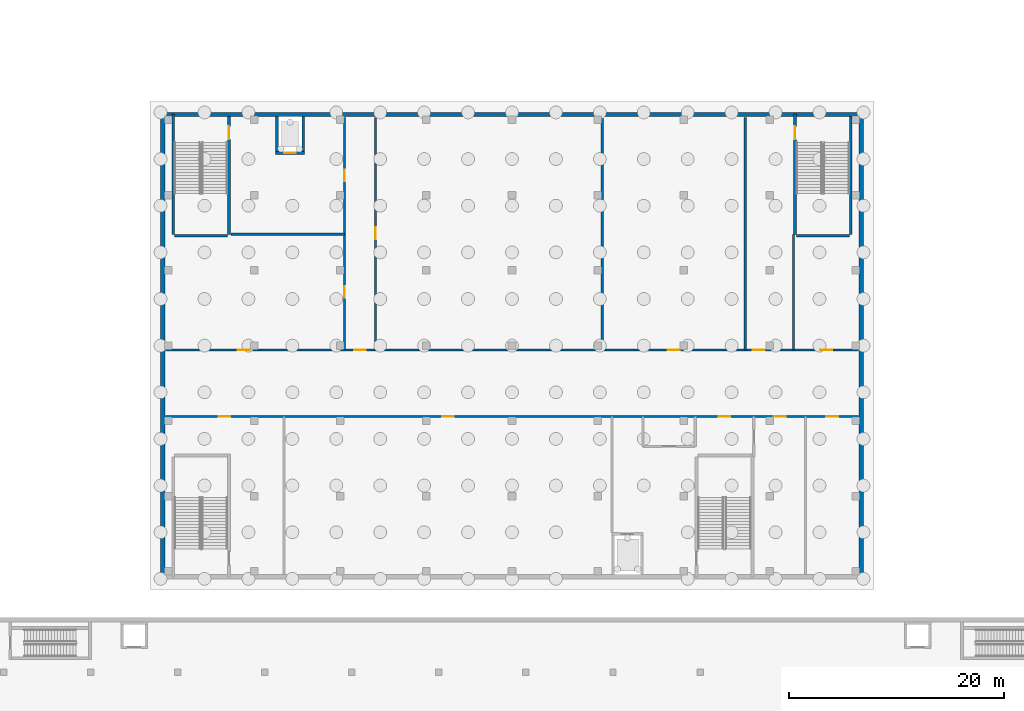
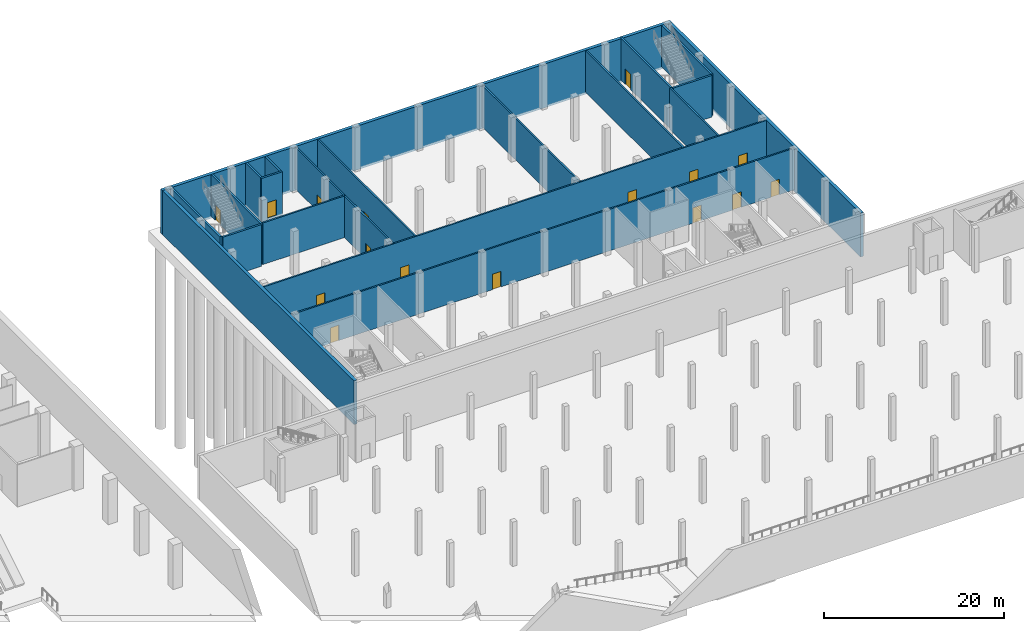
# One storey, part 18 of 45: 20 walls, 16 doors, 16 openings.
"""IFC4 building model written with IfcOpenShell, lengths in metres."""

from ifc_helpers import new_model, si_unit, direction, frame, frame_2d, origin, place, context, subcontext, project, spatial, rectangle, extrude, material, layer, layer_set, type_object, element, fill, save


model = new_model("IFC4")

# Units and contexts
model_context = context("Model", 3, precision=1e-05, world=origin(), true_north=direction((0.0, 1.0)))
body_context = subcontext(model_context, "Body", "Model", "MODEL_VIEW")
ifc_project = project(units=[si_unit("LENGTHUNIT", "METRE"), si_unit("AREAUNIT", "SQUARE_METRE"), si_unit("VOLUMEUNIT", "CUBIC_METRE"), si_unit("PLANEANGLEUNIT", "RADIAN"), si_unit("MASSUNIT", "GRAM", prefix="KILO")], contexts=[model_context])

# Site, building, storey
site_placement = place(None, origin())
site = spatial("IfcSite", under=ifc_project, at=site_placement, CompositionType="ELEMENT")
building_placement = place(site_placement, origin())
building = spatial("IfcBuilding", under=site, at=building_placement, Name="Tamorin Gate", CompositionType="ELEMENT")
storey_placement = place(building_placement, frame((0.0, 0.0, -6.0)))
storey = spatial("IfcBuildingStorey", under=building, at=storey_placement, Name="B1", CompositionType="ELEMENT", Elevation=-6.0)

# Wall, openings, doors
ifc_material_1 = material(Name="Dense blockwork, plastered", Category="masonry")
ifc_layer_1 = layer(ifc_material_1, 0.199951171875)
ifc_layer_set_1 = layer_set([ifc_layer_1], Name="Blockwork partition 200")
wall_type_1 = type_object("IfcWallType", Name="Blockwork partition 200", PredefinedType="PARTITIONING", material=ifc_layer_set_1)
wall_1_placement = place(storey_placement, frame((145.449951171875, 70.10009765625, 0.0), z_axis=(0.0, 0.0, 1.0), x_axis=(1.0, 0.0, 0.0)))
wall_1 = element("IfcWall", 1, at=wall_1_placement, inside=storey, type_object=wall_type_1, Name="Partition", PredefinedType="PARTITIONING", context=body_context, shape_type="SweptSolid", body=[
    extrude(rectangle(XDim=64.5, YDim=0.199951171875, at=frame_2d((32.25, 0.0))), origin(), (0.0, 0.0, 1.0), 5.64990234375),
])
opening_1_placement = place(wall_1_placement, frame((4.949951171875, 0.0, 0.0)))
opening_1 = element("IfcOpeningElement", 2, at=opening_1_placement, cuts=wall_1, Name="Opening DM37", PredefinedType="OPENING", context=body_context, shape_type="SweptSolid", body=[
    extrude(rectangle(XDim=1.10009765625, YDim=2.10009765625, at=frame_2d((0.550048828125, 1.050048828125))), frame((0.0, 0.10986328125, 0.0), z_axis=(0.0, -1.0, 0.0), x_axis=(1.0, 0.0, 0.0)), (0.0, 0.0, 1.0), 0.219970703125),
])
opening_2_placement = place(wall_1_placement, frame((25.75, 0.0, 0.0)))
opening_2 = element("IfcOpeningElement", 3, at=opening_2_placement, cuts=wall_1, Name="Opening DM38", PredefinedType="OPENING", context=body_context, shape_type="SweptSolid", body=[
    extrude(rectangle(XDim=1.10009765625, YDim=2.10009765625, at=frame_2d((0.550048828125, 1.050048828125))), frame((0.0, 0.10986328125, 0.0), z_axis=(0.0, -1.0, 0.0), x_axis=(1.0, 0.0, 0.0)), (0.0, 0.0, 1.0), 0.219970703125),
])
opening_3_placement = place(wall_1_placement, frame((51.47509765625, 0.0, 0.0)))
opening_3 = element("IfcOpeningElement", 4, at=opening_3_placement, cuts=wall_1, Name="Opening DM40", PredefinedType="OPENING", context=body_context, shape_type="SweptSolid", body=[
    extrude(rectangle(XDim=1.10009765625, YDim=2.10009765625, at=frame_2d((0.550048828125, 1.050048828125))), frame((0.0, 0.10986328125, 0.0), z_axis=(0.0, -1.0, 0.0), x_axis=(1.0, 0.0, 0.0)), (0.0, 0.0, 1.0), 0.219970703125),
])
opening_4_placement = place(wall_1_placement, frame((56.60009765625, 0.0, 0.0)))
opening_4 = element("IfcOpeningElement", 5, at=opening_4_placement, cuts=wall_1, Name="Opening DM42", PredefinedType="OPENING", context=body_context, shape_type="SweptSolid", body=[
    extrude(rectangle(XDim=1.10009765625, YDim=2.10009765625, at=frame_2d((0.550048828125, 1.050048828125))), frame((0.0, 0.10986328125, 0.0), z_axis=(0.0, -1.0, 0.0), x_axis=(1.0, 0.0, 0.0)), (0.0, 0.0, 1.0), 0.219970703125),
])
opening_5_placement = place(wall_1_placement, frame((61.5, 0.0, 0.0)))
opening_5 = element("IfcOpeningElement", 6, at=opening_5_placement, cuts=wall_1, Name="Opening DM43", PredefinedType="OPENING", context=body_context, shape_type="SweptSolid", body=[
    extrude(rectangle(XDim=1.10009765625, YDim=2.10009765625, at=frame_2d((0.550048828125, 1.050048828125))), frame((0.0, 0.10986328125, 0.0), z_axis=(0.0, -1.0, 0.0), x_axis=(1.0, 0.0, 0.0)), (0.0, 0.0, 1.0), 0.219970703125),
])
ifc_material_2 = material(Name="Steel, painted", Category="steel")
door_type_1 = type_object("IfcDoorType", Name="Museum door 1100x2100", OperationType="SINGLE_SWING_LEFT", PredefinedType="DOOR", material=ifc_material_2)
door_1_placement = place(opening_1_placement, origin())
door_1 = element("IfcDoor", 7, at=door_1_placement, inside=storey, type_object=door_type_1, Name="Door Stair lobby PS8", OperationType="SINGLE_SWING_LEFT", OverallHeight=2.10009765625, OverallWidth=1.10009765625, PredefinedType="DOOR", context=body_context, shape_type="SweptSolid", body=[
    extrude(rectangle(XDim=1.10009765625, YDim=2.10009765625, at=frame_2d((0.550048828125, 1.050048828125))), frame((0.0, 0.02490234375, 0.0), z_axis=(0.0, -1.0, 0.0), x_axis=(1.0, 0.0, 0.0)), (0.0, 0.0, 1.0), 0.050048828125),
])
fill(opening_1, door_1)
door_2_placement = place(opening_2_placement, origin())
door_2 = element("IfcDoor", 8, at=door_2_placement, inside=storey, type_object=door_type_1, Name="Door Collections vault 1", OperationType="SINGLE_SWING_RIGHT", OverallHeight=2.10009765625, OverallWidth=1.10009765625, PredefinedType="DOOR", context=body_context, shape_type="SweptSolid", body=[
    extrude(rectangle(XDim=1.10009765625, YDim=2.10009765625, at=frame_2d((0.550048828125, 1.050048828125))), frame((0.0, 0.02490234375, 0.0), z_axis=(0.0, -1.0, 0.0), x_axis=(1.0, 0.0, 0.0)), (0.0, 0.0, 1.0), 0.050048828125),
])
fill(opening_2, door_2)
door_3_placement = place(opening_3_placement, origin())
door_3 = element("IfcDoor", 9, at=door_3_placement, inside=storey, type_object=door_type_1, Name="Door Goods lobby", OperationType="SINGLE_SWING_RIGHT", OverallHeight=2.10009765625, OverallWidth=1.10009765625, PredefinedType="DOOR", context=body_context, shape_type="SweptSolid", body=[
    extrude(rectangle(XDim=1.10009765625, YDim=2.10009765625, at=frame_2d((0.550048828125, 1.050048828125))), frame((0.0, 0.02490234375, 0.0), z_axis=(0.0, -1.0, 0.0), x_axis=(1.0, 0.0, 0.0)), (0.0, 0.0, 1.0), 0.050048828125),
])
fill(opening_3, door_3)
door_4_placement = place(opening_4_placement, origin())
door_4 = element("IfcDoor", 10, at=door_4_placement, inside=storey, type_object=door_type_1, Name="Door Quarantine room", OperationType="SINGLE_SWING_RIGHT", OverallHeight=2.10009765625, OverallWidth=1.10009765625, PredefinedType="DOOR", context=body_context, shape_type="SweptSolid", body=[
    extrude(rectangle(XDim=1.10009765625, YDim=2.10009765625, at=frame_2d((0.550048828125, 1.050048828125))), frame((0.0, 0.02490234375, 0.0), z_axis=(0.0, -1.0, 0.0), x_axis=(1.0, 0.0, 0.0)), (0.0, 0.0, 1.0), 0.050048828125),
])
fill(opening_4, door_4)
door_5_placement = place(opening_5_placement, origin())
door_5 = element("IfcDoor", 11, at=door_5_placement, inside=storey, type_object=door_type_1, Name="Door 11 kV substation", OperationType="SINGLE_SWING_LEFT", OverallHeight=2.10009765625, OverallWidth=1.10009765625, PredefinedType="DOOR", context=body_context, shape_type="SweptSolid", body=[
    extrude(rectangle(XDim=1.10009765625, YDim=2.10009765625, at=frame_2d((0.550048828125, 1.050048828125))), frame((0.0, 0.02490234375, 0.0), z_axis=(0.0, -1.0, 0.0), x_axis=(1.0, 0.0, 0.0)), (0.0, 0.0, 1.0), 0.050048828125),
])
fill(opening_5, door_5)

wall_2_placement = place(storey_placement, frame((145.449951171875, 76.300048828125, 0.0), z_axis=(0.0, 0.0, 1.0), x_axis=(1.0, 0.0, 0.0)))
wall_2 = element("IfcWall", 12, at=wall_2_placement, inside=storey, type_object=wall_type_1, Name="Partition", PredefinedType="PARTITIONING", context=body_context, shape_type="SweptSolid", body=[
    extrude(rectangle(XDim=64.5, YDim=0.199951171875, at=frame_2d((32.25, 0.0))), origin(), (0.0, 0.0, 1.0), 5.64990234375),
])
opening_6_placement = place(wall_2_placement, frame((6.75, 0.0, 0.0)))
opening_6 = element("IfcOpeningElement", 13, at=opening_6_placement, cuts=wall_2, Name="Opening DM45", PredefinedType="OPENING", context=body_context, shape_type="SweptSolid", body=[
    extrude(rectangle(XDim=1.10009765625, YDim=2.10009765625, at=frame_2d((0.550048828125, 1.050048828125))), frame((0.0, 0.10986328125, 0.0), z_axis=(0.0, -1.0, 0.0), x_axis=(1.0, 0.0, 0.0)), (0.0, 0.0, 1.0), 0.219970703125),
])
opening_7_placement = place(wall_2_placement, frame((17.550048828125, 0.0, 0.0)))
opening_7 = element("IfcOpeningElement", 14, at=opening_7_placement, cuts=wall_2, Name="Opening DM46", PredefinedType="OPENING", context=body_context, shape_type="SweptSolid", body=[
    extrude(rectangle(XDim=1.10009765625, YDim=2.10009765625, at=frame_2d((0.550048828125, 1.050048828125))), frame((0.0, 0.10986328125, 0.0), z_axis=(0.0, -1.0, 0.0), x_axis=(1.0, 0.0, 0.0)), (0.0, 0.0, 1.0), 0.219970703125),
])
opening_8_placement = place(wall_2_placement, frame((46.75, 0.0, 0.0)))
opening_8 = element("IfcOpeningElement", 15, at=opening_8_placement, cuts=wall_2, Name="Opening DM49", PredefinedType="OPENING", context=body_context, shape_type="SweptSolid", body=[
    extrude(rectangle(XDim=1.10009765625, YDim=2.10009765625, at=frame_2d((0.550048828125, 1.050048828125))), frame((0.0, 0.10986328125, 0.0), z_axis=(0.0, -1.0, 0.0), x_axis=(1.0, 0.0, 0.0)), (0.0, 0.0, 1.0), 0.219970703125),
])
opening_9_placement = place(wall_2_placement, frame((54.64990234375, 0.0, 0.0)))
opening_9 = element("IfcOpeningElement", 16, at=opening_9_placement, cuts=wall_2, Name="Opening DM50", PredefinedType="OPENING", context=body_context, shape_type="SweptSolid", body=[
    extrude(rectangle(XDim=1.10009765625, YDim=2.10009765625, at=frame_2d((0.550048828125, 1.050048828125))), frame((0.0, 0.10986328125, 0.0), z_axis=(0.0, -1.0, 0.0), x_axis=(1.0, 0.0, 0.0)), (0.0, 0.0, 1.0), 0.219970703125),
])
opening_10_placement = place(wall_2_placement, frame((60.949951171875, 0.0, 0.0)))
opening_10 = element("IfcOpeningElement", 17, at=opening_10_placement, cuts=wall_2, Name="Opening DM51", PredefinedType="OPENING", context=body_context, shape_type="SweptSolid", body=[
    extrude(rectangle(XDim=1.10009765625, YDim=2.10009765625, at=frame_2d((0.550048828125, 1.050048828125))), frame((0.0, 0.10986328125, 0.0), z_axis=(0.0, -1.0, 0.0), x_axis=(1.0, 0.0, 0.0)), (0.0, 0.0, 1.0), 0.219970703125),
])
door_6_placement = place(opening_6_placement, origin())
door_6 = element("IfcDoor", 18, at=door_6_placement, inside=storey, type_object=door_type_1, Name="Door Collections vault 2", OperationType="SINGLE_SWING_LEFT", OverallHeight=2.10009765625, OverallWidth=1.10009765625, PredefinedType="DOOR", context=body_context, shape_type="SweptSolid", body=[
    extrude(rectangle(XDim=1.10009765625, YDim=2.10009765625, at=frame_2d((0.550048828125, 1.050048828125))), frame((0.0, 0.02490234375, 0.0), z_axis=(0.0, -1.0, 0.0), x_axis=(1.0, 0.0, 0.0)), (0.0, 0.0, 1.0), 0.050048828125),
])
fill(opening_6, door_6)
door_7_placement = place(opening_7_placement, origin())
door_7 = element("IfcDoor", 19, at=door_7_placement, inside=storey, type_object=door_type_1, Name="Door North corridor", OperationType="SINGLE_SWING_RIGHT", OverallHeight=2.10009765625, OverallWidth=1.10009765625, PredefinedType="DOOR", context=body_context, shape_type="SweptSolid", body=[
    extrude(rectangle(XDim=1.10009765625, YDim=2.10009765625, at=frame_2d((0.550048828125, 1.050048828125))), frame((0.0, 0.02490234375, 0.0), z_axis=(0.0, -1.0, 0.0), x_axis=(1.0, 0.0, 0.0)), (0.0, 0.0, 1.0), 0.050048828125),
])
fill(opening_7, door_7)
door_8_placement = place(opening_8_placement, origin())
door_8 = element("IfcDoor", 20, at=door_8_placement, inside=storey, type_object=door_type_1, Name="Door Conservation laboratory", OperationType="SINGLE_SWING_LEFT", OverallHeight=2.10009765625, OverallWidth=1.10009765625, PredefinedType="DOOR", context=body_context, shape_type="SweptSolid", body=[
    extrude(rectangle(XDim=1.10009765625, YDim=2.10009765625, at=frame_2d((0.550048828125, 1.050048828125))), frame((0.0, 0.02490234375, 0.0), z_axis=(0.0, -1.0, 0.0), x_axis=(1.0, 0.0, 0.0)), (0.0, 0.0, 1.0), 0.050048828125),
])
fill(opening_8, door_8)
door_9_placement = place(opening_9_placement, origin())
door_9 = element("IfcDoor", 21, at=door_9_placement, inside=storey, type_object=door_type_1, Name="Door Stair lobby PS9", OperationType="SINGLE_SWING_RIGHT", OverallHeight=2.10009765625, OverallWidth=1.10009765625, PredefinedType="DOOR", context=body_context, shape_type="SweptSolid", body=[
    extrude(rectangle(XDim=1.10009765625, YDim=2.10009765625, at=frame_2d((0.550048828125, 1.050048828125))), frame((0.0, 0.02490234375, 0.0), z_axis=(0.0, -1.0, 0.0), x_axis=(1.0, 0.0, 0.0)), (0.0, 0.0, 1.0), 0.050048828125),
])
fill(opening_9, door_9)
door_10_placement = place(opening_10_placement, origin())
door_10 = element("IfcDoor", 22, at=door_10_placement, inside=storey, type_object=door_type_1, Name="Door Conservation laboratory annex", OperationType="SINGLE_SWING_LEFT", OverallHeight=2.10009765625, OverallWidth=1.10009765625, PredefinedType="DOOR", context=body_context, shape_type="SweptSolid", body=[
    extrude(rectangle(XDim=1.10009765625, YDim=2.10009765625, at=frame_2d((0.550048828125, 1.050048828125))), frame((0.0, 0.02490234375, 0.0), z_axis=(0.0, -1.0, 0.0), x_axis=(1.0, 0.0, 0.0)), (0.0, 0.0, 1.0), 0.050048828125),
])
fill(opening_10, door_10)

# Wall
wall_3_placement = place(storey_placement, frame((151.530029296875, 87.070068359375, 0.0), z_axis=(0.0, 0.0, 1.0), x_axis=(1.0, 0.0, 0.0)))
element("IfcWall", 23, at=wall_3_placement, inside=storey, type_object=wall_type_1, Name="Partition", PredefinedType="PARTITIONING", context=body_context, shape_type="SweptSolid", body=[
    extrude(rectangle(XDim=10.570068359375, YDim=0.199951171875, at=frame_2d((5.28515625, 0.0))), origin(), (0.0, 0.0, 1.0), 5.64990234375),
])

# Wall, openings, doors
wall_4_placement = place(storey_placement, frame((162.10009765625, 76.300048828125, 0.0), z_axis=(0.0, 0.0, 1.0), x_axis=(0.0, 1.0, 0.0)))
wall_4 = element("IfcWall", 24, at=wall_4_placement, inside=storey, type_object=wall_type_1, Name="Partition", PredefinedType="PARTITIONING", context=body_context, shape_type="SweptSolid", body=[
    extrude(rectangle(XDim=21.64990234375, YDim=0.199951171875, at=frame_2d((10.824951171875, 0.0))), origin(), (0.0, 0.0, 1.0), 5.64990234375),
])
opening_11_placement = place(wall_4_placement, frame((4.8349609375, 0.0, 0.0)))
opening_11 = element("IfcOpeningElement", 25, at=opening_11_placement, cuts=wall_4, Name="Opening DM44", PredefinedType="OPENING", context=body_context, shape_type="SweptSolid", body=[
    extrude(rectangle(XDim=1.10009765625, YDim=2.10009765625, at=frame_2d((0.550048828125, 1.050048828125))), frame((0.0, 0.10986328125, 0.0), z_axis=(0.0, -1.0, 0.0), x_axis=(1.0, 0.0, 0.0)), (0.0, 0.0, 1.0), 0.219970703125),
])
opening_12_placement = place(wall_4_placement, frame((15.68505859375, 0.0, 0.0)))
opening_12 = element("IfcOpeningElement", 26, at=opening_12_placement, cuts=wall_4, Name="Opening DM47", PredefinedType="OPENING", context=body_context, shape_type="SweptSolid", body=[
    extrude(rectangle(XDim=1.10009765625, YDim=2.10009765625, at=frame_2d((0.550048828125, 1.050048828125))), frame((0.0, 0.10986328125, 0.0), z_axis=(0.0, -1.0, 0.0), x_axis=(1.0, 0.0, 0.0)), (0.0, 0.0, 1.0), 0.219970703125),
])
door_11_placement = place(opening_11_placement, origin())
door_11 = element("IfcDoor", 27, at=door_11_placement, inside=storey, type_object=door_type_1, Name="Door Collections vault 2", OperationType="SINGLE_SWING_RIGHT", OverallHeight=2.10009765625, OverallWidth=1.10009765625, PredefinedType="DOOR", context=body_context, shape_type="SweptSolid", body=[
    extrude(rectangle(XDim=1.10009765625, YDim=2.10009765625, at=frame_2d((0.550048828125, 1.050048828125))), frame((0.0, 0.02490234375, 0.0), z_axis=(0.0, -1.0, 0.0), x_axis=(1.0, 0.0, 0.0)), (0.0, 0.0, 1.0), 0.050048828125),
])
fill(opening_11, door_11)
door_12_placement = place(opening_12_placement, origin())
door_12 = element("IfcDoor", 28, at=door_12_placement, inside=storey, type_object=door_type_1, Name="Door Lift lobby", OperationType="SINGLE_SWING_LEFT", OverallHeight=2.10009765625, OverallWidth=1.10009765625, PredefinedType="DOOR", context=body_context, shape_type="SweptSolid", body=[
    extrude(rectangle(XDim=1.10009765625, YDim=2.10009765625, at=frame_2d((0.550048828125, 1.050048828125))), frame((0.0, 0.02490234375, 0.0), z_axis=(0.0, -1.0, 0.0), x_axis=(1.0, 0.0, 0.0)), (0.0, 0.0, 1.0), 0.050048828125),
])
fill(opening_12, door_12)

# Wall, opening, door
wall_5_placement = place(storey_placement, frame((165.0, 76.300048828125, 0.0), z_axis=(0.0, 0.0, 1.0), x_axis=(0.0, 1.0, 0.0)))
wall_5 = element("IfcWall", 29, at=wall_5_placement, inside=storey, type_object=wall_type_1, Name="Partition", PredefinedType="PARTITIONING", context=body_context, shape_type="SweptSolid", body=[
    extrude(rectangle(XDim=21.64990234375, YDim=0.199951171875, at=frame_2d((10.824951171875, 0.0))), origin(), (0.0, 0.0, 1.0), 5.64990234375),
])
opening_13_placement = place(wall_5_placement, frame((10.300048828125, 0.0, 0.0)))
opening_13 = element("IfcOpeningElement", 30, at=opening_13_placement, cuts=wall_5, Name="Opening DM48", PredefinedType="OPENING", context=body_context, shape_type="SweptSolid", body=[
    extrude(rectangle(XDim=1.10009765625, YDim=2.10009765625, at=frame_2d((0.550048828125, 1.050048828125))), frame((0.0, 0.10986328125, 0.0), z_axis=(0.0, -1.0, 0.0), x_axis=(1.0, 0.0, 0.0)), (0.0, 0.0, 1.0), 0.219970703125),
])
door_13_placement = place(opening_13_placement, origin())
door_13 = element("IfcDoor", 31, at=door_13_placement, inside=storey, type_object=door_type_1, Name="Door Collections vault 3", OperationType="SINGLE_SWING_RIGHT", OverallHeight=2.10009765625, OverallWidth=1.10009765625, PredefinedType="DOOR", context=body_context, shape_type="SweptSolid", body=[
    extrude(rectangle(XDim=1.10009765625, YDim=2.10009765625, at=frame_2d((0.550048828125, 1.050048828125))), frame((0.0, 0.02490234375, 0.0), z_axis=(0.0, -1.0, 0.0), x_axis=(1.0, 0.0, 0.0)), (0.0, 0.0, 1.0), 0.050048828125),
])
fill(opening_13, door_13)

# Walls
for number, where, z_axis, x_axis, name in (
    (32, (186.10009765625, 76.300048828125, 0.0), (0.0, 0.0, 1.0), (0.0, 1.0, 0.0), "Partition"),
    (33, (199.39990234375, 76.300048828125, 0.0), (0.0, 0.0, 1.0), (0.0, 1.0, 0.0), "Partition"),
):
    element("IfcWall", number, at=place(storey_placement, frame(where, z_axis=z_axis, x_axis=x_axis)), inside=storey, type_object=wall_type_1, Name=name, PredefinedType="PARTITIONING", context=body_context, shape_type="SweptSolid", body=[
        extrude(rectangle(XDim=21.64990234375, YDim=0.199951171875, at=frame_2d((10.824951171875, 0.0))), origin(), (0.0, 0.0, 1.0), 5.64990234375),
    ])
wall_6_placement = place(storey_placement, frame((203.89990234375, 76.300048828125, 0.0), z_axis=(0.0, 0.0, 1.0), x_axis=(0.0, 1.0, 0.0)))
element("IfcWall", 34, at=wall_6_placement, inside=storey, type_object=wall_type_1, Name="Partition", PredefinedType="PARTITIONING", context=body_context, shape_type="SweptSolid", body=[
    extrude(rectangle(XDim=10.739990234375, YDim=0.199951171875, at=frame_2d((5.3701171875, 0.0))), origin(), (0.0, 0.0, 1.0), 5.64990234375),
])
ifc_material_3 = material(Name="Concrete C40/50", Category="concrete")
ifc_layer_2 = layer(ifc_material_3, 0.39990234375)
ifc_layer_set_2 = layer_set([ifc_layer_2], Name="Museum basement retaining wall 400 C40/50")
wall_type_2 = type_object("IfcWallType", Name="Museum basement retaining wall 400 C40/50", PredefinedType="SHEAR", material=ifc_layer_set_2)
wall_7_placement = place(storey_placement, frame((145.0, 98.199951171875, -0.300048828125), z_axis=(0.0, 0.0, 1.0), x_axis=(1.0, 0.0, 0.0)))
element("IfcWall", 35, at=wall_7_placement, inside=storey, type_object=wall_type_2, Name="Museum basement wall", PredefinedType="SHEAR", context=body_context, shape_type="SweptSolid", body=[
    extrude(rectangle(XDim=65.39990234375, YDim=0.39990234375, at=frame_2d((32.699951171875, 0.0))), origin(), (0.0, 0.0, 1.0), 5.949951171875),
])
for number, where, z_axis, x_axis, name in (
    (36, (145.199951171875, 55.39990234375, -0.300048828125), (0.0, 0.0, 1.0), (0.0, 1.0, 0.0), "Museum basement wall"),
    (37, (210.199951171875, 55.39990234375, -0.300048828125), (0.0, 0.0, 1.0), (0.0, 1.0, 0.0), "Museum basement wall"),
):
    element("IfcWall", number, at=place(storey_placement, frame(where, z_axis=z_axis, x_axis=x_axis)), inside=storey, type_object=wall_type_2, Name=name, PredefinedType="SHEAR", context=body_context, shape_type="SweptSolid", body=[
        extrude(rectangle(XDim=42.60009765625, YDim=0.39990234375, at=frame_2d((21.300048828125, 0.0))), origin(), (0.0, 0.0, 1.0), 5.949951171875),
    ])
ifc_layer_3 = layer(ifc_material_3, 0.25)
ifc_layer_set_3 = layer_set([ifc_layer_3], Name="Museum stair and lift enclosure wall 250 C40/50")
wall_type_3 = type_object("IfcWallType", Name="Museum stair and lift enclosure wall 250 C40/50", PredefinedType="SHEAR", material=ifc_layer_set_3)
wall_8_placement = place(storey_placement, frame((146.175048828125, 87.0400390625, 0.0), z_axis=(0.0, 0.0, 1.0), x_axis=(0.0, 1.0, 0.0)))
element("IfcWall", 38, at=wall_8_placement, inside=storey, type_object=wall_type_3, Name="Stair PS6 wall", PredefinedType="SHEAR", context=body_context, shape_type="SweptSolid", body=[
    extrude(rectangle(XDim=11.2099609375, YDim=0.25, at=frame_2d((5.60498046875, 0.0))), origin(), (0.0, 0.0, 1.0), 5.64990234375),
])

# Wall, opening, door
wall_9_placement = place(storey_placement, frame((151.375, 87.0400390625, 0.0), z_axis=(0.0, 0.0, 1.0), x_axis=(0.0, 1.0, 0.0)))
wall_9 = element("IfcWall", 39, at=wall_9_placement, inside=storey, type_object=wall_type_3, Name="Stair PS6 wall", PredefinedType="SHEAR", context=body_context, shape_type="SweptSolid", body=[
    extrude(rectangle(XDim=10.9599609375, YDim=0.25, at=frame_2d((5.47998046875, 0.0))), origin(), (0.0, 0.0, 1.0), 5.64990234375),
])
opening_14_placement = place(wall_9_placement, frame((8.860107421875, 0.0, 0.0)))
opening_14 = element("IfcOpeningElement", 40, at=opening_14_placement, cuts=wall_9, Name="Opening DM1", PredefinedType="OPENING", context=body_context, shape_type="SweptSolid", body=[
    extrude(rectangle(XDim=1.199951171875, YDim=2.10009765625, at=frame_2d((0.60009765625, 1.050048828125))), frame((0.0, 0.135009765625, 0.0), z_axis=(0.0, -1.0, 0.0), x_axis=(1.0, 0.0, 0.0)), (0.0, 0.0, 1.0), 0.27001953125),
])
door_type_2 = type_object("IfcDoorType", Name="Museum stair door 1200x2100 FD90", OperationType="SINGLE_SWING_LEFT", PredefinedType="DOOR", material=ifc_material_2)
door_14_placement = place(opening_14_placement, origin())
door_14 = element("IfcDoor", 41, at=door_14_placement, inside=storey, type_object=door_type_2, Name="Stair door", OperationType="SINGLE_SWING_LEFT", OverallHeight=2.10009765625, OverallWidth=1.199951171875, PredefinedType="DOOR", context=body_context, shape_type="SweptSolid", body=[
    extrude(rectangle(XDim=1.199951171875, YDim=2.10009765625, at=frame_2d((0.60009765625, 1.050048828125))), frame((0.0, 0.02490234375, 0.0), z_axis=(0.0, -1.0, 0.0), x_axis=(1.0, 0.0, 0.0)), (0.0, 0.0, 1.0), 0.050048828125),
])
fill(opening_14, door_14)

# Wall
wall_10_placement = place(storey_placement, frame((146.300048828125, 86.9150390625, 0.0), z_axis=(0.0, 0.0, 1.0), x_axis=(1.0, 0.0, 0.0)))
element("IfcWall", 42, at=wall_10_placement, inside=storey, type_object=wall_type_3, Name="Stair PS6 wall", PredefinedType="SHEAR", context=body_context, shape_type="SweptSolid", body=[
    extrude(rectangle(XDim=4.949951171875, YDim=0.25, at=frame_2d((2.47509765625, 0.0))), origin(), (0.0, 0.0, 1.0), 5.64990234375),
])

# Wall, opening, door
wall_11_placement = place(storey_placement, frame((204.02490234375, 87.0400390625, 0.0), z_axis=(0.0, 0.0, 1.0), x_axis=(0.0, 1.0, 0.0)))
wall_11 = element("IfcWall", 43, at=wall_11_placement, inside=storey, type_object=wall_type_3, Name="Stair PS9 wall", PredefinedType="SHEAR", context=body_context, shape_type="SweptSolid", body=[
    extrude(rectangle(XDim=11.2099609375, YDim=0.25, at=frame_2d((5.60498046875, 0.0))), origin(), (0.0, 0.0, 1.0), 5.64990234375),
])
opening_15_placement = place(wall_11_placement, frame((8.860107421875, 0.0, 0.0)))
opening_15 = element("IfcOpeningElement", 44, at=opening_15_placement, cuts=wall_11, Name="Opening DM19", PredefinedType="OPENING", context=body_context, shape_type="SweptSolid", body=[
    extrude(rectangle(XDim=1.199951171875, YDim=2.10009765625, at=frame_2d((0.60009765625, 1.050048828125))), frame((0.0, 0.135009765625, 0.0), z_axis=(0.0, -1.0, 0.0), x_axis=(1.0, 0.0, 0.0)), (0.0, 0.0, 1.0), 0.27001953125),
])
door_15_placement = place(opening_15_placement, origin())
door_15 = element("IfcDoor", 45, at=door_15_placement, inside=storey, type_object=door_type_2, Name="Stair door", OperationType="SINGLE_SWING_LEFT", OverallHeight=2.10009765625, OverallWidth=1.199951171875, PredefinedType="DOOR", context=body_context, shape_type="SweptSolid", body=[
    extrude(rectangle(XDim=1.199951171875, YDim=2.10009765625, at=frame_2d((0.60009765625, 1.050048828125))), frame((0.0, 0.02490234375, 0.0), z_axis=(0.0, -1.0, 0.0), x_axis=(1.0, 0.0, 0.0)), (0.0, 0.0, 1.0), 0.050048828125),
])
fill(opening_15, door_15)

# Walls
wall_12_placement = place(storey_placement, frame((209.22509765625, 87.0400390625, 0.0), z_axis=(0.0, 0.0, 1.0), x_axis=(0.0, 1.0, 0.0)))
element("IfcWall", 46, at=wall_12_placement, inside=storey, type_object=wall_type_3, Name="Stair PS9 wall", PredefinedType="SHEAR", context=body_context, shape_type="SweptSolid", body=[
    extrude(rectangle(XDim=10.9599609375, YDim=0.25, at=frame_2d((5.47998046875, 0.0))), origin(), (0.0, 0.0, 1.0), 5.64990234375),
])
wall_13_placement = place(storey_placement, frame((204.14990234375, 86.9150390625, 0.0), z_axis=(0.0, 0.0, 1.0), x_axis=(1.0, 0.0, 0.0)))
element("IfcWall", 47, at=wall_13_placement, inside=storey, type_object=wall_type_3, Name="Stair PS9 wall", PredefinedType="SHEAR", context=body_context, shape_type="SweptSolid", body=[
    extrude(rectangle(XDim=4.9501953125, YDim=0.25, at=frame_2d((2.47509765625, 0.0))), origin(), (0.0, 0.0, 1.0), 5.64990234375),
])

# Wall, opening, door
wall_14_placement = place(storey_placement, frame((155.699951171875, 94.625, -1.199951171875), z_axis=(0.0, 0.0, 1.0), x_axis=(1.0, 0.0, 0.0)))
wall_14 = element("IfcWall", 48, at=wall_14_placement, inside=storey, type_object=wall_type_3, Name="Lift shaft LM1", PredefinedType="SHEAR", context=body_context, shape_type="SweptSolid", body=[
    extrude(rectangle(XDim=2.699951171875, YDim=0.25, at=frame_2d((1.35009765625, 0.0))), origin(), (0.0, 0.0, 1.0), 6.849853515625),
])
opening_16_placement = place(wall_14_placement, frame((0.800048828125, 0.0, 1.199951171875)))
opening_16 = element("IfcOpeningElement", 49, at=opening_16_placement, cuts=wall_14, Name="Opening LD24", PredefinedType="OPENING", context=body_context, shape_type="SweptSolid", body=[
    extrude(rectangle(XDim=1.10009765625, YDim=2.10009765625, at=frame_2d((0.550048828125, 1.050048828125))), frame((0.0, 0.135009765625, 0.0), z_axis=(0.0, -1.0, 0.0), x_axis=(1.0, 0.0, 0.0)), (0.0, 0.0, 1.0), 0.27001953125),
])
ifc_material_4 = material(Name="Stainless steel", Category="steel")
door_type_3 = type_object("IfcDoorType", Name="Museum lift landing door 1100x2100", OperationType="DOUBLE_DOOR_SLIDING", PredefinedType="DOOR", material=ifc_material_4)
door_16_placement = place(opening_16_placement, origin())
door_16 = element("IfcDoor", 50, at=door_16_placement, inside=storey, type_object=door_type_3, Name="Lift landing door", OperationType="DOUBLE_DOOR_SLIDING", OverallHeight=2.10009765625, OverallWidth=1.10009765625, PredefinedType="DOOR", context=body_context, shape_type="SweptSolid", body=[
    extrude(rectangle(XDim=1.10009765625, YDim=2.10009765625, at=frame_2d((0.550048828125, 1.050048828125))), frame((0.0, 0.02490234375, 0.0), z_axis=(0.0, -1.0, 0.0), x_axis=(1.0, 0.0, 0.0)), (0.0, 0.0, 1.0), 0.050048828125),
])
fill(opening_16, door_16)

# Walls
for number, where, z_axis, x_axis, name in (
    (51, (155.824951171875, 94.75, -1.199951171875), (0.0, 0.0, 1.0), (0.0, 1.0, 0.0), "Lift shaft LM1"),
    (52, (158.27490234375, 94.75, -1.199951171875), (0.0, 0.0, 1.0), (0.0, 1.0, 0.0), "Lift shaft LM1"),
):
    element("IfcWall", number, at=place(storey_placement, frame(where, z_axis=z_axis, x_axis=x_axis)), inside=storey, type_object=wall_type_3, Name=name, PredefinedType="SHEAR", context=body_context, shape_type="SweptSolid", body=[
        extrude(rectangle(XDim=3.25, YDim=0.25, at=frame_2d((1.625, 0.0))), origin(), (0.0, 0.0, 1.0), 6.849853515625),
    ])

save(model, "model.ifc")
